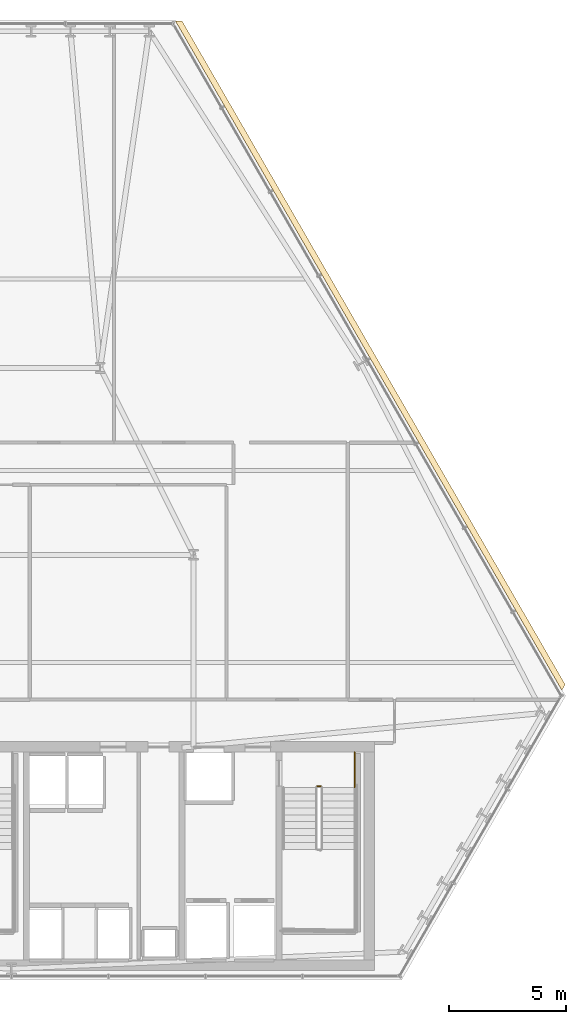
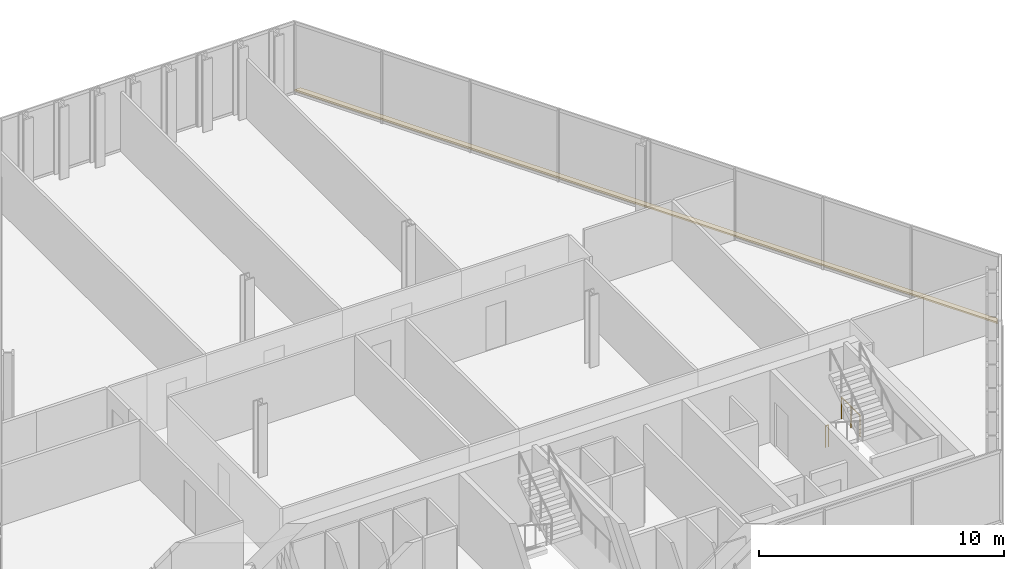
# One storey, part 32 of 32: 2 railings, 1 covering.
"""IFC4 building model written with IfcOpenShell, lengths in metres."""

from ifc_helpers import new_model, si_unit, direction, frame, origin, origin_2d, place, context, subcontext, project, spatial, polyline, circle, outline, extrude, material, layer, layer_set, type_object, element, save


model = new_model("IFC4")

# Units and contexts
model_context = context("Model", 3, precision=1e-05, world=origin(), true_north=direction((0.0, 1.0)))
body_context = subcontext(model_context, "Body", "Model", "MODEL_VIEW")
ifc_project = project(units=[si_unit("LENGTHUNIT", "METRE"), si_unit("AREAUNIT", "SQUARE_METRE"), si_unit("VOLUMEUNIT", "CUBIC_METRE"), si_unit("PLANEANGLEUNIT", "RADIAN"), si_unit("MASSUNIT", "GRAM", prefix="KILO")], contexts=[model_context])

# Site, building, storey
site_placement = place(None, origin())
site = spatial("IfcSite", under=ifc_project, at=site_placement, CompositionType="ELEMENT")
building_placement = place(site_placement, origin())
building = spatial("IfcBuilding", under=site, at=building_placement, Name="Ndaravel Arena Tower", CompositionType="ELEMENT")
storey_placement = place(building_placement, frame((0.0, 0.0, 93.0)))
storey = spatial("IfcBuildingStorey", under=building, at=storey_placement, Name="L21", CompositionType="ELEMENT", Elevation=93.0)

# Covering
ifc_material_1 = material(Name="Roofing Membrane", Category="finish")
ifc_layer_1 = layer(ifc_material_1, 0.080078125)
ifc_layer_set_1 = layer_set([ifc_layer_1], Name="Roofing Membrane")
covering_type = type_object("IfcCoveringType", Name="COV-ROOF-MEMB", PredefinedType="ROOFING", material=ifc_layer_set_1)
covering_placement = place(storey_placement, origin())
element("IfcCovering", 1, at=covering_placement, inside=storey, type_object=covering_type, Name="L21 Facet Setback Weathering Flashing", PredefinedType="ROOFING", context=body_context, shape_type="SweptSolid", body=[
    extrude(outline(polyline([(49.30224609375, 46.055908203125), (65.70361328125, 17.64794921875), (65.5625, 17.4033203125), (49.02001953125, 46.055908203125), (49.30224609375, 46.055908203125)])), origin(), (0.0, 0.0, 1.0), 0.080078125),
])

# Railings
ifc_material_2 = material(Name="Steel S355", Category="steel")
ifc_layer_2 = layer(ifc_material_2, 0.06005859375)
ifc_layer_set_2 = layer_set([ifc_layer_2], Name="Steel S355")
railing_type = type_object("IfcRailingType", Name="RAIL-STAIR-GD1100", PredefinedType="GUARDRAIL", material=ifc_layer_set_2)
railing_1_placement = place(storey_placement, frame((55.10009765625, 13.300048828125, 0.0)))
element("IfcRailing", 2, at=railing_1_placement, inside=storey, type_object=railing_type, Name="L21 ST-3 stair guard 4", PredefinedType="GUARDRAIL", context=body_context, shape_type="SweptSolid", body=[
    extrude(circle(Radius=0.02392578125, at=origin_2d()), frame((0.0, 0.0, 1.076171875), z_axis=(1.0, 0.0, 0.0), x_axis=(0.0, 1.0, 0.0)), (0.0, 0.0, 1.0), 0.139892578125),
    extrude(circle(Radius=0.02099609375, at=origin_2d()), origin(), (0.0, 0.0, 1.0), 1.052001953125),
    extrude(circle(Radius=0.02099609375, at=origin_2d()), frame((0.139892578125, 0.0, 0.0)), (0.0, 0.0, 1.0), 1.052001953125),
])
railing_2_placement = place(storey_placement, frame((56.68994140625, 14.75, 0.0)))
element("IfcRailing", 3, at=railing_2_placement, inside=storey, type_object=railing_type, Name="L21 ST-3 stair guard 5", PredefinedType="GUARDRAIL", context=body_context, shape_type="SweptSolid", body=[
    extrude(circle(Radius=0.02392578125, at=origin_2d()), frame((0.0, 0.0, 1.076171875), z_axis=(0.0, -1.0, 0.0), x_axis=(1.0, 0.0, 0.0)), (0.0, 0.0, 1.0), 1.5),
    extrude(circle(Radius=0.02099609375, at=origin_2d()), origin(), (0.0, 0.0, 1.0), 1.052001953125),
    extrude(circle(Radius=0.02099609375, at=origin_2d()), frame((0.0, -0.75, 0.0)), (0.0, 0.0, 1.0), 1.052001953125),
    extrude(circle(Radius=0.02099609375, at=origin_2d()), frame((0.0, -1.5, 0.0)), (0.0, 0.0, 1.0), 1.052001953125),
])

save(model, "model.ifc")
